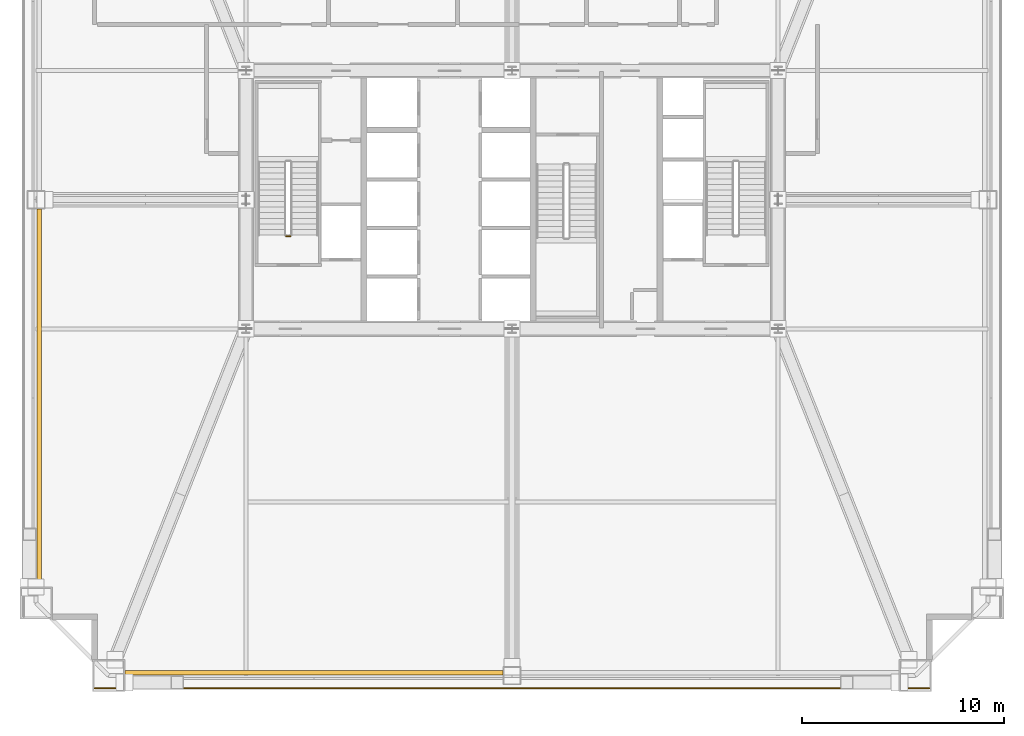
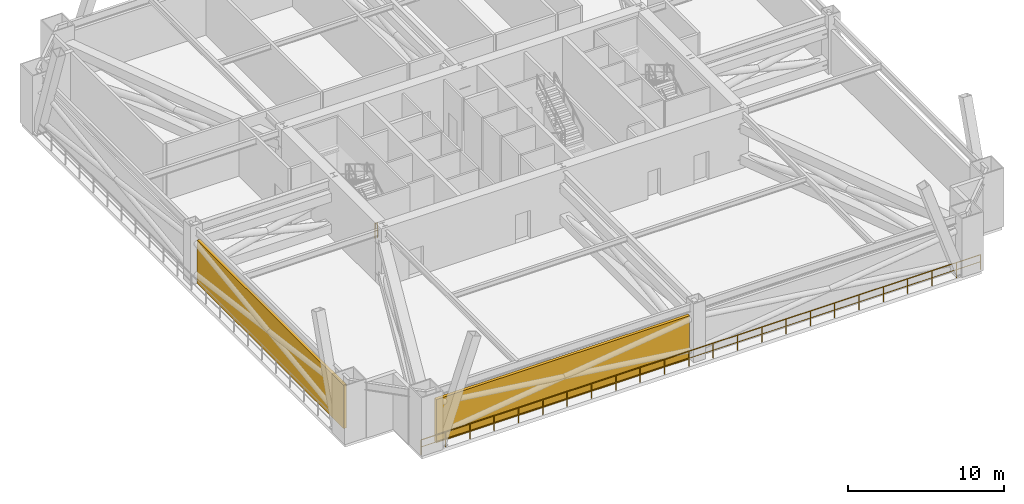
# One storey, part 7 of 10: 2 railings, 2 shading devices.
"""IFC4 building model written with IfcOpenShell, lengths in metres."""

from ifc_helpers import new_model, si_unit, direction, frame, origin, origin_2d, place, context, subcontext, project, spatial, rectangle, extrude, source, transform, mapped, material, layer, layer_set, type_object, element, save


model = new_model("IFC4")

# Units and contexts
model_context = context("Model", 3, precision=1e-05, world=origin(), true_north=direction((0.0, 1.0)))
body_context = subcontext(model_context, "Body", "Model", "MODEL_VIEW")
ifc_project = project(units=[si_unit("LENGTHUNIT", "METRE"), si_unit("AREAUNIT", "SQUARE_METRE"), si_unit("VOLUMEUNIT", "CUBIC_METRE"), si_unit("PLANEANGLEUNIT", "RADIAN"), si_unit("MASSUNIT", "GRAM", prefix="KILO"), si_unit("THERMODYNAMICTEMPERATUREUNIT", "KELVIN"), si_unit("POWERUNIT", "WATT")], contexts=[model_context])

# Site, building, storey
site_placement = place(None, origin())
site = spatial("IfcSite", under=ifc_project, at=site_placement, CompositionType="ELEMENT")
building_placement = place(site_placement, origin())
building = spatial("IfcBuilding", under=site, at=building_placement, Name="Yuzanri Waterfront Tower", CompositionType="ELEMENT")
storey_placement = place(building_placement, frame((0.0, 0.0, 129.800048828125)))
storey = spatial("IfcBuildingStorey", under=building, at=storey_placement, Name="L34", CompositionType="ELEMENT", Elevation=129.800048828125)

# Shading devices
ifc_material_1 = material(Name="Anodized Architectural Bronze", Category="metal")
ifc_layer_1 = layer(ifc_material_1, 0.219970703125)
ifc_layer_set_1 = layer_set([ifc_layer_1], Name="Anodized Architectural Bronze")
shading_device_type = type_object("IfcShadingDeviceType", Name="Anodized Bronze Refuge Wind-Diffusing Louvre Screen 220", PredefinedType="USERDEFINED", material=ifc_layer_set_1)
shared_shape_1 = source(origin(), body_context, "Body", "SweptSolid", [
    extrude(rectangle(XDim=18.75, YDim=0.219970703125, at=origin_2d()), origin(), (0.0, 0.0, 1.0), 3.39990234375),
])
shading_device_1_placement = place(storey_placement, frame((27.175048828125, 2.35009765625, 0.0), z_axis=(0.0, 0.0, 1.0), x_axis=(1.0, 0.0, 0.0)))
element("IfcShadingDevice", 1, at=shading_device_1_placement, inside=storey, type_object=shading_device_type, Name="L34 Wind-Diffusing Refuge Louvre SL", ObjectType="LOUVRE", PredefinedType="USERDEFINED", context=body_context, shape_type="MappedRepresentation", body=[
    mapped(shared_shape_1, transform((0.0, 0.0, 0.0), scale=1.0)),
])
shared_shape_2 = source(origin(), body_context, "Body", "SweptSolid", [
    extrude(rectangle(XDim=0.219970703125, YDim=18.75, at=origin_2d()), origin(), (0.0, 0.0, 1.0), 3.39990234375),
])
shading_device_2_placement = place(storey_placement, frame((13.550048828125, 15.97509765625, 0.0), z_axis=(0.0, 0.0, 1.0), x_axis=(1.0, 0.0, 0.0)))
element("IfcShadingDevice", 2, at=shading_device_2_placement, inside=storey, type_object=shading_device_type, Name="L34 Wind-Diffusing Refuge Louvre WL", ObjectType="LOUVRE", PredefinedType="USERDEFINED", context=body_context, shape_type="MappedRepresentation", body=[
    mapped(shared_shape_2, transform((0.0, 0.0, 0.0), scale=1.0)),
])

# Railings
ifc_material_2 = material(Name="Anodized Architectural Bronze", Category="metal")
ifc_layer_2 = layer(ifc_material_2, 0.080078125)
ifc_layer_set_2 = layer_set([ifc_layer_2], Name="Anodized Architectural Bronze")
railing_type_1 = type_object("IfcRailingType", Name="Laminated Glass and Bronze Balcony Guardrail 1200", PredefinedType="BALUSTRADE", material=ifc_layer_set_2)
shared_shape_3 = source(origin(), body_context, "Body", "SweptSolid", [
    extrude(rectangle(XDim=0.050048828125, YDim=0.050048828125, at=origin_2d()), frame((0.0, 0.0, 1.1748046875), z_axis=(1.0, 0.0, 0.0), x_axis=(0.0, 1.0, 0.0)), (0.0, 0.0, 1.0), 41.39990234375),
    extrude(rectangle(XDim=0.035888671875, YDim=0.030029296875, at=origin_2d()), frame((0.0, 0.0, 0.6240234375), z_axis=(1.0, 0.0, 0.0), x_axis=(0.0, 1.0, 0.0)), (0.0, 0.0, 1.0), 41.39990234375),
    extrude(rectangle(XDim=0.0458984375, YDim=0.0458984375, at=origin_2d()), origin(), (0.0, 0.0, 1.0), 1.14990234375),
    extrude(rectangle(XDim=0.0458984375, YDim=0.0458984375, at=origin_2d()), frame((1.800048828125, 0.0, 0.0)), (0.0, 0.0, 1.0), 1.14990234375),
    extrude(rectangle(XDim=0.0458984375, YDim=0.0458984375, at=origin_2d()), frame((3.60009765625, 0.0, 0.0)), (0.0, 0.0, 1.0), 1.14990234375),
    extrude(rectangle(XDim=0.0458984375, YDim=0.0458984375, at=origin_2d()), frame((5.39990234375, 0.0, 0.0)), (0.0, 0.0, 1.0), 1.14990234375),
    extrude(rectangle(XDim=0.0458984375, YDim=0.0458984375, at=origin_2d()), frame((7.199951171875, 0.0, 0.0)), (0.0, 0.0, 1.0), 1.14990234375),
    extrude(rectangle(XDim=0.0458984375, YDim=0.0458984375, at=origin_2d()), frame((9.0, 0.0, 0.0)), (0.0, 0.0, 1.0), 1.14990234375),
    extrude(rectangle(XDim=0.0458984375, YDim=0.0458984375, at=origin_2d()), frame((10.800048828125, 0.0, 0.0)), (0.0, 0.0, 1.0), 1.14990234375),
    extrude(rectangle(XDim=0.0458984375, YDim=0.0458984375, at=origin_2d()), frame((12.599853515625, 0.0, 0.0)), (0.0, 0.0, 1.0), 1.14990234375),
    extrude(rectangle(XDim=0.0458984375, YDim=0.0458984375, at=origin_2d()), frame((14.39990234375, 0.0, 0.0)), (0.0, 0.0, 1.0), 1.14990234375),
    extrude(rectangle(XDim=0.0458984375, YDim=0.0458984375, at=origin_2d()), frame((16.199951171875, 0.0, 0.0)), (0.0, 0.0, 1.0), 1.14990234375),
    extrude(rectangle(XDim=0.0458984375, YDim=0.0458984375, at=origin_2d()), frame((18.0, 0.0, 0.0)), (0.0, 0.0, 1.0), 1.14990234375),
    extrude(rectangle(XDim=0.0458984375, YDim=0.0458984375, at=origin_2d()), frame((19.800048828125, 0.0, 0.0)), (0.0, 0.0, 1.0), 1.14990234375),
    extrude(rectangle(XDim=0.0458984375, YDim=0.0458984375, at=origin_2d()), frame((21.599853515625, 0.0, 0.0)), (0.0, 0.0, 1.0), 1.14990234375),
    extrude(rectangle(XDim=0.0458984375, YDim=0.0458984375, at=origin_2d()), frame((23.39990234375, 0.0, 0.0)), (0.0, 0.0, 1.0), 1.14990234375),
    extrude(rectangle(XDim=0.0458984375, YDim=0.0458984375, at=origin_2d()), frame((25.199951171875, 0.0, 0.0)), (0.0, 0.0, 1.0), 1.14990234375),
    extrude(rectangle(XDim=0.0458984375, YDim=0.0458984375, at=origin_2d()), frame((27.0, 0.0, 0.0)), (0.0, 0.0, 1.0), 1.14990234375),
    extrude(rectangle(XDim=0.0458984375, YDim=0.0458984375, at=origin_2d()), frame((28.800048828125, 0.0, 0.0)), (0.0, 0.0, 1.0), 1.14990234375),
    extrude(rectangle(XDim=0.0458984375, YDim=0.0458984375, at=origin_2d()), frame((30.599853515625, 0.0, 0.0)), (0.0, 0.0, 1.0), 1.14990234375),
    extrude(rectangle(XDim=0.0458984375, YDim=0.0458984375, at=origin_2d()), frame((32.39990234375, 0.0, 0.0)), (0.0, 0.0, 1.0), 1.14990234375),
    extrude(rectangle(XDim=0.0458984375, YDim=0.0458984375, at=origin_2d()), frame((34.199951171875, 0.0, 0.0)), (0.0, 0.0, 1.0), 1.14990234375),
    extrude(rectangle(XDim=0.0458984375, YDim=0.0458984375, at=origin_2d()), frame((36.0, 0.0, 0.0)), (0.0, 0.0, 1.0), 1.14990234375),
    extrude(rectangle(XDim=0.0458984375, YDim=0.0458984375, at=origin_2d()), frame((37.7998046875, 0.0, 0.0)), (0.0, 0.0, 1.0), 1.14990234375),
    extrude(rectangle(XDim=0.0458984375, YDim=0.0458984375, at=origin_2d()), frame((39.599853515625, 0.0, 0.0)), (0.0, 0.0, 1.0), 1.14990234375),
    extrude(rectangle(XDim=0.0458984375, YDim=0.0458984375, at=origin_2d()), frame((41.39990234375, 0.0, 0.0)), (0.0, 0.0, 1.0), 1.14990234375),
])
railing_1_placement = place(storey_placement, frame((16.300048828125, 1.580078125, 0.0)))
element("IfcRailing", 3, at=railing_1_placement, inside=storey, type_object=railing_type_1, Name="L34 South Refuge Edge Guard", PredefinedType="BALUSTRADE", context=body_context, shape_type="MappedRepresentation", body=[
    mapped(shared_shape_3, transform((0.0, 0.0, 0.0), scale=1.0)),
])
ifc_material_3 = material(Name="Painted Galvanized Fire Steel", Category="steel")
ifc_layer_3 = layer(ifc_material_3, 0.06005859375)
ifc_layer_set_3 = layer_set([ifc_layer_3], Name="Painted Galvanized Fire Steel")
railing_type_2 = type_object("IfcRailingType", Name="Painted Steel Stairwell Guardrail 1120", PredefinedType="GUARDRAIL", material=ifc_layer_set_3)
shared_shape_4 = source(origin(), body_context, "Body", "SweptSolid", [
    extrude(rectangle(XDim=0.050048828125, YDim=0.050048828125, at=origin_2d()), frame((0.0, 0.0, 1.1748046875), z_axis=(-1.0, 0.0, 0.0), x_axis=(0.0, -1.0, 0.0)), (0.0, 0.0, 1.0), 0.199951171875),
    extrude(rectangle(XDim=0.035888671875, YDim=0.030029296875, at=origin_2d()), frame((0.0, 0.0, 0.6240234375), z_axis=(-1.0, 0.0, 0.0), x_axis=(0.0, -1.0, 0.0)), (0.0, 0.0, 1.0), 0.199951171875),
    extrude(rectangle(XDim=0.0458984375, YDim=0.0458984375, at=origin_2d()), origin(), (0.0, 0.0, 1.0), 1.14990234375),
    extrude(rectangle(XDim=0.0458984375, YDim=0.0458984375, at=origin_2d()), frame((-0.199951171875, 0.0, 0.0)), (0.0, 0.0, 1.0), 1.14990234375),
])
railing_2_placement = place(storey_placement, frame((26.0, 23.989990234375, 0.0)))
element("IfcRailing", 4, at=railing_2_placement, inside=storey, type_object=railing_type_2, Name="L34 ST-01 stair guard 4", PredefinedType="GUARDRAIL", context=body_context, shape_type="MappedRepresentation", body=[
    mapped(shared_shape_4, transform((0.0, 0.0, 0.0), scale=1.0)),
])

save(model, "model.ifc")
